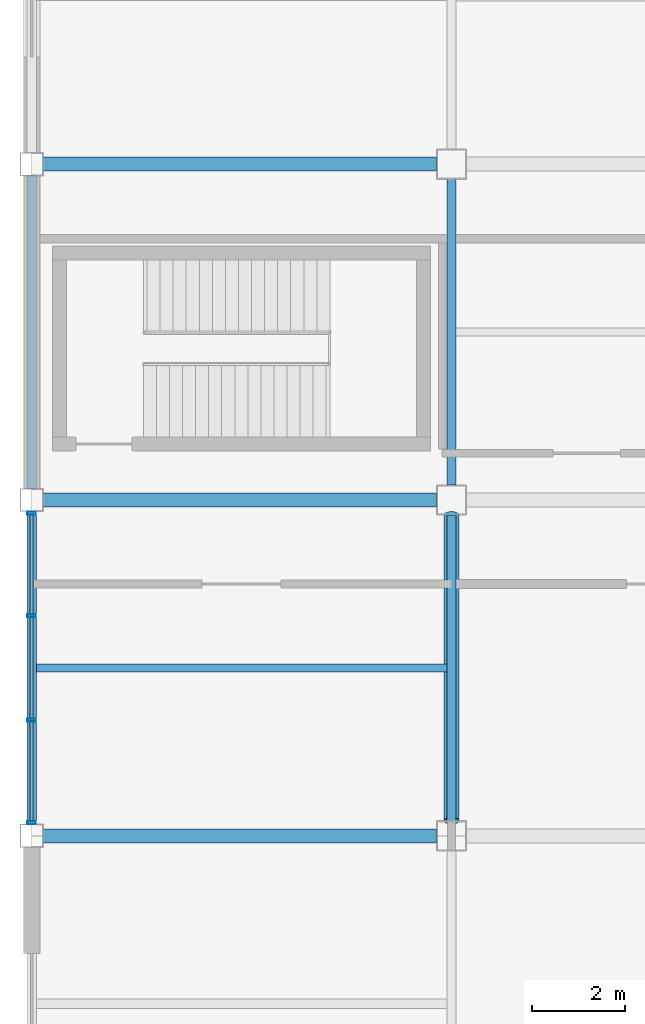
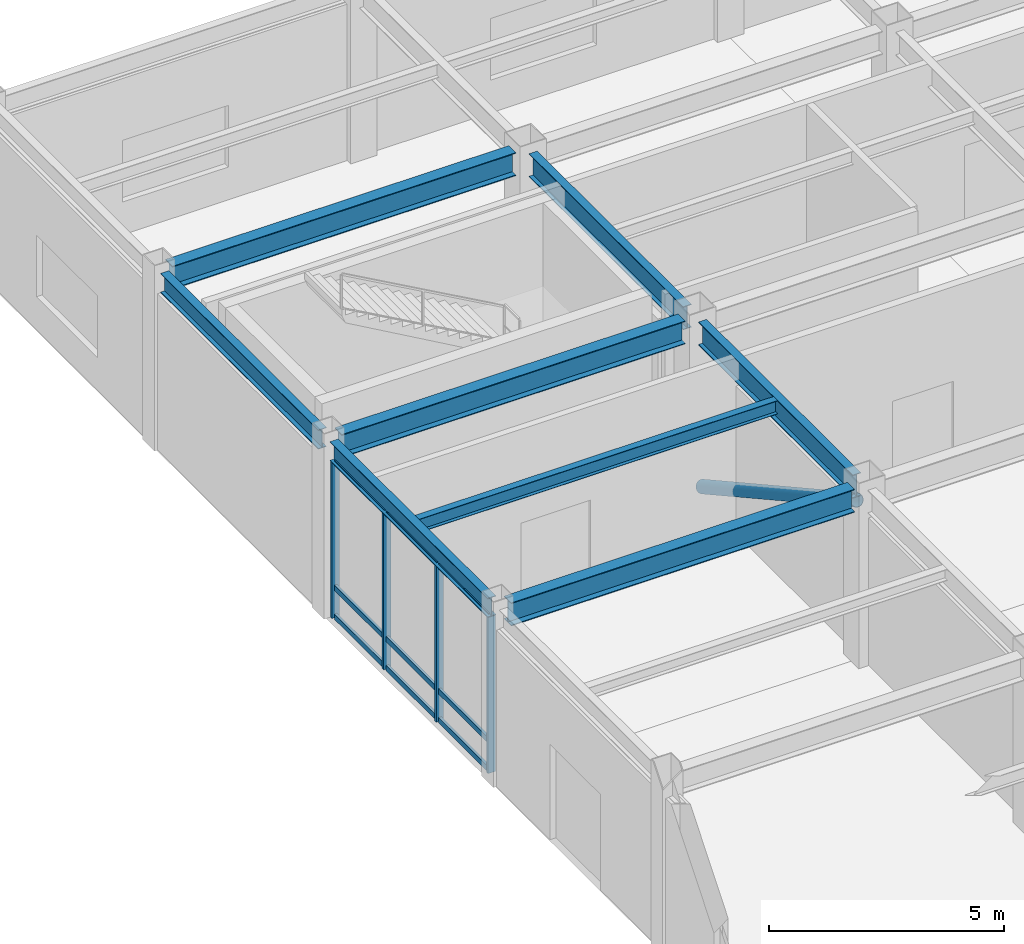
# One storey, part 14 of 112: 14 members, 8 beams, 1 element without a shape of its own.
"""IFC4 building model written with IfcOpenShell, lengths in metres."""

from ifc_helpers import new_model, si_unit, direction, frame, origin, origin_2d, place, context, subcontext, project, spatial, hollow_rectangle, hollow_circle, i_section, extrude, material, material_profile, profile_set, type_object, element, aggregate, save


model = new_model("IFC4")

# Units and contexts
model_context = context("Model", 3, precision=1e-05, world=origin(), true_north=direction((0.0, 1.0)))
body_context = subcontext(model_context, "Body", "Model", "MODEL_VIEW")
ifc_project = project(units=[si_unit("LENGTHUNIT", "METRE"), si_unit("AREAUNIT", "SQUARE_METRE"), si_unit("VOLUMEUNIT", "CUBIC_METRE"), si_unit("PLANEANGLEUNIT", "RADIAN"), si_unit("MASSUNIT", "GRAM", prefix="KILO")], contexts=[model_context])

# Site, building, storey
site_placement = place(None, origin())
site = spatial("IfcSite", under=ifc_project, at=site_placement, CompositionType="ELEMENT")
building_placement = place(site_placement, origin())
building = spatial("IfcBuilding", under=site, at=building_placement, Name="Kazanami Central Library", CompositionType="ELEMENT")
storey_placement = place(building_placement, origin())
storey = spatial("IfcBuildingStorey", under=building, at=storey_placement, Name="L01", CompositionType="ELEMENT", Elevation=0.0)

# Beams
ifc_material_1 = material(Name="Steel SN400B (235 MPa)", Category="steel")
ifc_material_profile_1 = material_profile(ifc_material_1, i_section(OverallWidth=0.175048828125, OverallDepth=0.35009765625, WebThickness=0.007080078125, FlangeThickness=0.010986328125, at=origin_2d()), Name="H-350x175x7x11")
ifc_profile_set_1 = profile_set([ifc_material_profile_1], Name="Steel SN400B (235 MPa)")
beam_type_1 = type_object("IfcBeamType", Name="BM-B-S2", PredefinedType="JOIST", material=ifc_profile_set_1)
beam_1_placement = place(storey_placement, frame((0.097900390625, 18.0, 4.3798828125), z_axis=(1.0, 0.0, 0.0), x_axis=(0.0, 1.0, 0.0)))
element("IfcBeam", 1, at=beam_1_placement, inside=storey, type_object=beam_type_1, Name="Composite Secondary Joist B-S2 L01 Bay 1/C.1", PredefinedType="JOIST", context=body_context, shape_type="SweptSolid", body=[
    extrude(i_section(OverallWidth=0.175048828125, OverallDepth=0.35009765625, WebThickness=0.007080078125, FlangeThickness=0.010986328125, at=origin_2d()), origin(), (0.0, 0.0, 1.0), 8.80419921875),
])
ifc_material_2 = material(Name="Steel SN490B (325 MPa)", Category="steel")
ifc_material_profile_2 = material_profile(ifc_material_2, i_section(OverallWidth=0.300048828125, OverallDepth=0.60009765625, WebThickness=0.011962890625, FlangeThickness=0.02001953125, at=origin_2d()), Name="H-600x300x12x20")
ifc_profile_set_2 = profile_set([ifc_material_profile_2], Name="Steel SN490B (325 MPa)")
beam_type_2 = type_object("IfcBeamType", Name="BM-G-X1", PredefinedType="BEAM", material=ifc_profile_set_2)
for number, where, z_axis, x_axis, name in (
    (2, (0.248046875, 14.39990234375, 4.2548828125), (1.0, 0.0, 0.0), (0.0, 1.0, 0.0), "Girder G-X1 L01 C/1-2"),
    (3, (0.248046875, 21.60009765625, 4.2548828125), (1.0, 0.0, 0.0), (0.0, 1.0, 0.0), "Girder G-X1 L01 D/1-2"),
    (4, (0.248046875, 28.800048828125, 4.2548828125), (1.0, 0.0, 0.0), (0.0, 1.0, 0.0), "Girder G-X1 L01 E/1-2"),
):
    element("IfcBeam", number, at=place(storey_placement, frame(where, z_axis=z_axis, x_axis=x_axis)), inside=storey, type_object=beam_type_2, Name=name, PredefinedType="BEAM", context=body_context, shape_type="SweptSolid", body=[
        extrude(i_section(OverallWidth=0.300048828125, OverallDepth=0.60009765625, WebThickness=0.011962890625, FlangeThickness=0.02001953125, at=origin_2d()), origin(), (0.0, 0.0, 1.0), 8.428955078125),
    ])
ifc_material_profile_3 = material_profile(ifc_material_2, i_section(OverallWidth=0.199951171875, OverallDepth=0.60009765625, WebThickness=0.010986328125, FlangeThickness=0.01708984375, at=origin_2d()), Name="H-600x200x11x17")
ifc_profile_set_3 = profile_set([ifc_material_profile_3], Name="Steel SN490B (325 MPa)")
beam_type_3 = type_object("IfcBeamType", Name="BM-G-Y1", PredefinedType="BEAM", material=ifc_profile_set_3)
beam_2_placement = place(storey_placement, frame((9.0, 14.722900390625, 4.2548828125), z_axis=(0.0, 1.0, 0.0), x_axis=(-1.0, 0.0, 0.0)))
element("IfcBeam", 5, at=beam_2_placement, inside=storey, type_object=beam_type_3, Name="Girder G-Y1 L01 2/C-D", PredefinedType="BEAM", context=body_context, shape_type="SweptSolid", body=[
    extrude(i_section(OverallWidth=0.199951171875, OverallDepth=0.60009765625, WebThickness=0.010986328125, FlangeThickness=0.01708984375, at=origin_2d()), origin(), (0.0, 0.0, 1.0), 6.55419921875),
])
beam_3_placement = place(storey_placement, frame((9.0, 21.923095703125, 4.2548828125), z_axis=(0.0, 1.0, 0.0), x_axis=(-1.0, 0.0, 0.0)))
element("IfcBeam", 6, at=beam_3_placement, inside=storey, type_object=beam_type_3, Name="Girder G-Y1 L01 2/D-E", PredefinedType="BEAM", context=body_context, shape_type="SweptSolid", body=[
    extrude(i_section(OverallWidth=0.199951171875, OverallDepth=0.60009765625, WebThickness=0.010986328125, FlangeThickness=0.01708984375, at=origin_2d()), origin(), (0.0, 0.0, 1.0), 6.553955078125),
])
ifc_material_profile_4 = material_profile(ifc_material_2, i_section(OverallWidth=0.199951171875, OverallDepth=0.5, WebThickness=0.010009765625, FlangeThickness=0.01611328125, at=origin_2d()), Name="H-500x200x10x16")
ifc_profile_set_4 = profile_set([ifc_material_profile_4], Name="Steel SN490B (325 MPa)")
beam_type_4 = type_object("IfcBeamType", Name="BM-SP-1", PredefinedType="SPANDREL", material=ifc_profile_set_4)
for number, where, z_axis, x_axis, name in (
    (7, (0.0, 14.64794921875, 4.304931640625), (0.0, 1.0, 0.0), (-1.0, 0.0, 0.0), "Girder SP-1 L01 1/C-D"),
    (8, (0.0, 21.847900390625, 4.304931640625), (0.0, 1.0, 0.0), (-1.0, 0.0, 0.0), "Girder SP-1 L01 1/D-E"),
):
    element("IfcBeam", number, at=place(storey_placement, frame(where, z_axis=z_axis, x_axis=x_axis)), inside=storey, type_object=beam_type_4, Name=name, PredefinedType="SPANDREL", context=body_context, shape_type="SweptSolid", body=[
        extrude(i_section(OverallWidth=0.199951171875, OverallDepth=0.5, WebThickness=0.010009765625, FlangeThickness=0.01611328125, at=origin_2d()), origin(), (0.0, 0.0, 1.0), 6.7041015625),
    ])

# Member
ifc_material_3 = material(Name="Steel STK490 (315 MPa)", Category="steel")
ifc_material_profile_5 = material_profile(ifc_material_3, hollow_circle(Radius=0.1591796875, WallThickness=0.01025390625, at=origin_2d()), Name="CHS-318.5x10.3")
ifc_profile_set_5 = profile_set([ifc_material_profile_5], Name="Steel STK490 (315 MPa)")
member_type_1 = type_object("IfcMemberType", Name="MEM-BR-02", PredefinedType="BRACE", material=ifc_profile_set_5)
member_1_placement = place(storey_placement, frame((9.0, 21.27490234375, 0.25), z_axis=(0.0, -0.874937622149, 0.484235642376), x_axis=(1.0, 0.0, 0.0)))
element("IfcMember", 9, at=member_1_placement, inside=storey, type_object=member_type_1, Name="Concentric Steel Brace BR-02 L01 BF-V3A", PredefinedType="BRACE", context=body_context, shape_type="SweptSolid", body=[
    extrude(hollow_circle(Radius=0.1591796875, WallThickness=0.01025390625, at=origin_2d()), origin(), (0.0, 0.0, 1.0), 7.486083984375),
])

# Curtain wall, members
ifc_material_4 = material(Name="Acid-Etched Low-E Laminated Glass", Category="glass")
curtain_wall_type = type_object("IfcCurtainWallType", Name="CW-6700x4055-M225", PredefinedType="USERDEFINED", material=ifc_material_4)
curtain_wall_placement = place(storey_placement, origin())
curtain_wall = element("IfcCurtainWall", 10, at=curtain_wall_placement, inside=storey, type_object=curtain_wall_type, Name="Unitised Curtain Wall CW-08 L01 W-1-02", ObjectType="UNITISED CURTAIN WALL", PredefinedType="USERDEFINED")
ifc_material_5 = material(Name="Anodised Aluminium A6063-T5", Category="aluminium")
ifc_material_profile_6 = material_profile(ifc_material_5, hollow_rectangle(XDim=0.06494140625, YDim=0.179931640625, WallThickness=0.00390625, at=origin_2d()), Name="ALU-MULL-65x180x4")
ifc_profile_set_6 = profile_set([ifc_material_profile_6], Name="Anodised Aluminium A6063-T5")
member_type_2 = type_object("IfcMemberType", Name="MEM-CW-M2", PredefinedType="MULLION", material=ifc_profile_set_6)
member_2_placement = place(storey_placement, frame((0.0, 14.6826171875, 0.0), z_axis=(0.0, 0.0, 1.0), x_axis=(0.0, 1.0, 0.0)))
member_2 = element("IfcMember", 11, at=member_2_placement, type_object=member_type_2, Name="CW-08 mullion 1", PredefinedType="MULLION", context=body_context, shape_type="SweptSolid", body=[
    extrude(hollow_rectangle(XDim=0.06494140625, YDim=0.179931640625, WallThickness=0.00390625, at=origin_2d()), origin(), (0.0, 0.0, 1.0), 4.054931640625),
])
member_3_placement = place(storey_placement, frame((0.0, 16.88330078125, 0.0), z_axis=(0.0, 0.0, 1.0), x_axis=(0.0, 1.0, 0.0)))
member_3 = element("IfcMember", 12, at=member_3_placement, type_object=member_type_2, Name="CW-08 mullion 2", PredefinedType="MULLION", context=body_context, shape_type="SweptSolid", body=[
    extrude(hollow_rectangle(XDim=0.06494140625, YDim=0.179931640625, WallThickness=0.00390625, at=origin_2d()), origin(), (0.0, 0.0, 1.0), 4.054931640625),
])
member_4_placement = place(storey_placement, frame((0.0, 19.11669921875, 0.0), z_axis=(0.0, 0.0, 1.0), x_axis=(0.0, 1.0, 0.0)))
member_4 = element("IfcMember", 13, at=member_4_placement, type_object=member_type_2, Name="CW-08 mullion 3", PredefinedType="MULLION", context=body_context, shape_type="SweptSolid", body=[
    extrude(hollow_rectangle(XDim=0.06494140625, YDim=0.179931640625, WallThickness=0.00390625, at=origin_2d()), origin(), (0.0, 0.0, 1.0), 4.054931640625),
])
member_5_placement = place(storey_placement, frame((0.0, 21.3173828125, 0.0), z_axis=(0.0, 0.0, 1.0), x_axis=(0.0, 1.0, 0.0)))
member_5 = element("IfcMember", 14, at=member_5_placement, type_object=member_type_2, Name="CW-08 mullion 4", PredefinedType="MULLION", context=body_context, shape_type="SweptSolid", body=[
    extrude(hollow_rectangle(XDim=0.06494140625, YDim=0.179931640625, WallThickness=0.00390625, at=origin_2d()), origin(), (0.0, 0.0, 1.0), 4.054931640625),
])
ifc_material_profile_7 = material_profile(ifc_material_5, hollow_rectangle(XDim=0.06494140625, YDim=0.139892578125, WallThickness=0.00390625, at=origin_2d()), Name="ALU-TRAN-65x140x4")
ifc_profile_set_7 = profile_set([ifc_material_profile_7], Name="Anodised Aluminium A6063-T5")
member_type_3 = type_object("IfcMemberType", Name="MEM-CW-T2", PredefinedType="USERDEFINED", material=ifc_profile_set_7)
member_6_placement = place(storey_placement, frame((0.0, 14.715087890625, 0.032470703125), z_axis=(0.0, 1.0, 0.0), x_axis=(-1.0, 0.0, 0.0)))
member_6 = element("IfcMember", 15, at=member_6_placement, type_object=member_type_3, Name="CW-08 transom 1.1", ObjectType="TRANSOM", PredefinedType="USERDEFINED", context=body_context, shape_type="SweptSolid", body=[
    extrude(hollow_rectangle(XDim=0.06494140625, YDim=0.139892578125, WallThickness=0.00390625, at=origin_2d()), origin(), (0.0, 0.0, 1.0), 2.1357421875),
])
member_7_placement = place(storey_placement, frame((0.0, 14.715087890625, 0.780029296875), z_axis=(0.0, 1.0, 0.0), x_axis=(-1.0, 0.0, 0.0)))
member_7 = element("IfcMember", 16, at=member_7_placement, type_object=member_type_3, Name="CW-08 transom 1.2", ObjectType="TRANSOM", PredefinedType="USERDEFINED", context=body_context, shape_type="SweptSolid", body=[
    extrude(hollow_rectangle(XDim=0.06494140625, YDim=0.139892578125, WallThickness=0.00390625, at=origin_2d()), origin(), (0.0, 0.0, 1.0), 2.1357421875),
])
member_8_placement = place(storey_placement, frame((0.0, 14.715087890625, 4.0224609375), z_axis=(0.0, 1.0, 0.0), x_axis=(-1.0, 0.0, 0.0)))
member_8 = element("IfcMember", 17, at=member_8_placement, type_object=member_type_3, Name="CW-08 transom 1.3", ObjectType="TRANSOM", PredefinedType="USERDEFINED", context=body_context, shape_type="SweptSolid", body=[
    extrude(hollow_rectangle(XDim=0.06494140625, YDim=0.139892578125, WallThickness=0.00390625, at=origin_2d()), origin(), (0.0, 0.0, 1.0), 2.1357421875),
])
member_9_placement = place(storey_placement, frame((0.0, 16.915771484375, 0.032470703125), z_axis=(0.0, 1.0, 0.0), x_axis=(-1.0, 0.0, 0.0)))
member_9 = element("IfcMember", 18, at=member_9_placement, type_object=member_type_3, Name="CW-08 transom 2.1", ObjectType="TRANSOM", PredefinedType="USERDEFINED", context=body_context, shape_type="SweptSolid", body=[
    extrude(hollow_rectangle(XDim=0.06494140625, YDim=0.139892578125, WallThickness=0.00390625, at=origin_2d()), origin(), (0.0, 0.0, 1.0), 2.16845703125),
])
member_10_placement = place(storey_placement, frame((0.0, 16.915771484375, 0.780029296875), z_axis=(0.0, 1.0, 0.0), x_axis=(-1.0, 0.0, 0.0)))
member_10 = element("IfcMember", 19, at=member_10_placement, type_object=member_type_3, Name="CW-08 transom 2.2", ObjectType="TRANSOM", PredefinedType="USERDEFINED", context=body_context, shape_type="SweptSolid", body=[
    extrude(hollow_rectangle(XDim=0.06494140625, YDim=0.139892578125, WallThickness=0.00390625, at=origin_2d()), origin(), (0.0, 0.0, 1.0), 2.16845703125),
])
member_11_placement = place(storey_placement, frame((0.0, 16.915771484375, 4.0224609375), z_axis=(0.0, 1.0, 0.0), x_axis=(-1.0, 0.0, 0.0)))
member_11 = element("IfcMember", 20, at=member_11_placement, type_object=member_type_3, Name="CW-08 transom 2.3", ObjectType="TRANSOM", PredefinedType="USERDEFINED", context=body_context, shape_type="SweptSolid", body=[
    extrude(hollow_rectangle(XDim=0.06494140625, YDim=0.139892578125, WallThickness=0.00390625, at=origin_2d()), origin(), (0.0, 0.0, 1.0), 2.16845703125),
])
member_12_placement = place(storey_placement, frame((0.0, 19.149169921875, 0.032470703125), z_axis=(0.0, 1.0, 0.0), x_axis=(-1.0, 0.0, 0.0)))
member_12 = element("IfcMember", 21, at=member_12_placement, type_object=member_type_3, Name="CW-08 transom 3.1", ObjectType="TRANSOM", PredefinedType="USERDEFINED", context=body_context, shape_type="SweptSolid", body=[
    extrude(hollow_rectangle(XDim=0.06494140625, YDim=0.139892578125, WallThickness=0.00390625, at=origin_2d()), origin(), (0.0, 0.0, 1.0), 2.1357421875),
])
member_13_placement = place(storey_placement, frame((0.0, 19.149169921875, 0.780029296875), z_axis=(0.0, 1.0, 0.0), x_axis=(-1.0, 0.0, 0.0)))
member_13 = element("IfcMember", 22, at=member_13_placement, type_object=member_type_3, Name="CW-08 transom 3.2", ObjectType="TRANSOM", PredefinedType="USERDEFINED", context=body_context, shape_type="SweptSolid", body=[
    extrude(hollow_rectangle(XDim=0.06494140625, YDim=0.139892578125, WallThickness=0.00390625, at=origin_2d()), origin(), (0.0, 0.0, 1.0), 2.1357421875),
])
member_14_placement = place(storey_placement, frame((0.0, 19.149169921875, 4.0224609375), z_axis=(0.0, 1.0, 0.0), x_axis=(-1.0, 0.0, 0.0)))
member_14 = element("IfcMember", 23, at=member_14_placement, type_object=member_type_3, Name="CW-08 transom 3.3", ObjectType="TRANSOM", PredefinedType="USERDEFINED", context=body_context, shape_type="SweptSolid", body=[
    extrude(hollow_rectangle(XDim=0.06494140625, YDim=0.139892578125, WallThickness=0.00390625, at=origin_2d()), origin(), (0.0, 0.0, 1.0), 2.1357421875),
])
aggregate(curtain_wall, [member_2, member_3, member_4, member_5, member_6, member_7, member_8, member_9, member_10, member_11, member_12, member_13, member_14])

save(model, "model.ifc")
